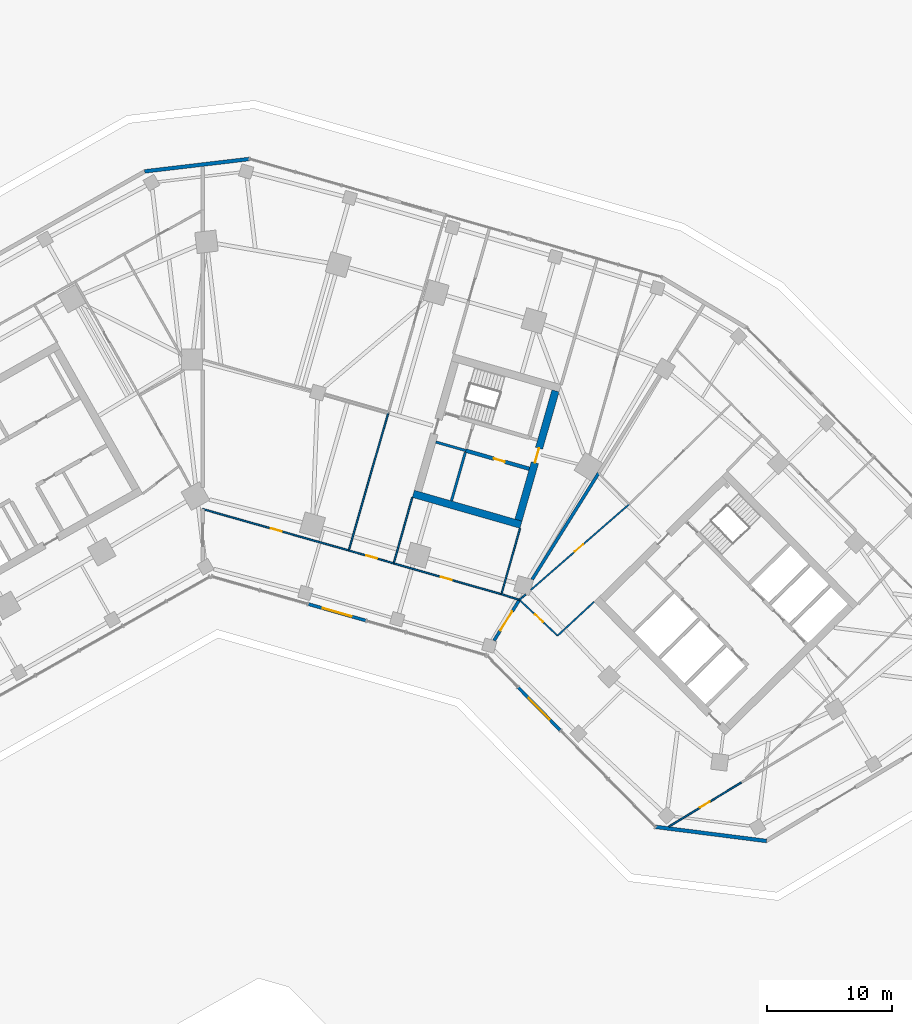
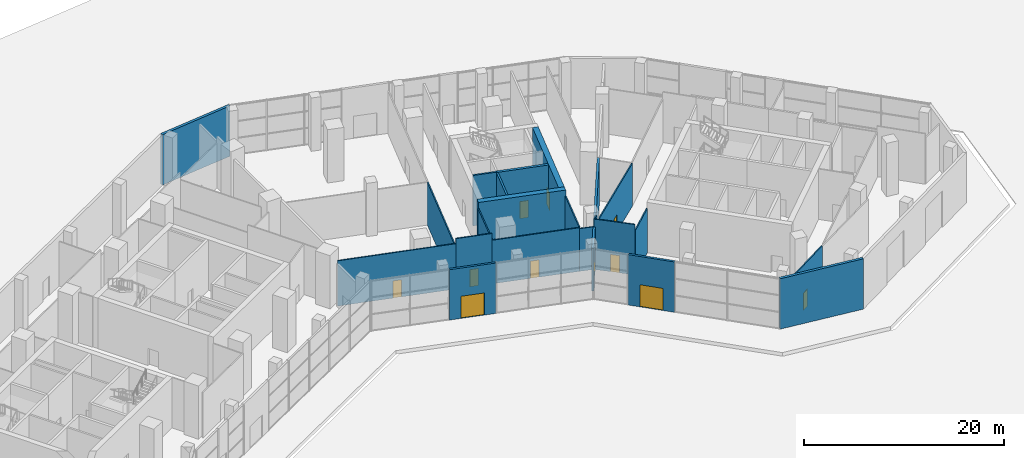
# One storey, part 15 of 22: 23 walls, 11 doors, 11 openings.
"""IFC4 building model written with IfcOpenShell, lengths in metres."""

import ifcopenshell
import ifcopenshell.guid

model = None  # the IFC model being written
_history = None  # IfcOwnerHistory: only IFC2X3 demands one
_inside = {}  # id of a spatial element -> (the spatial element, [elements in it])
_under = {}  # id of a project, library or spatial element -> (it, [spatial elements below it])
_declared = {}  # id of a project -> (the project, [libraries it declares])
_typed = {}  # id of a type object -> (the type object, [elements of that type])
_made_of = {}  # id of a material, layer set ... -> (it, [elements and type objects made of it])


def new_model(schema):
    """Start an empty IFC model of exactly this schema.

    Asked for "IFC4X3", IfcOpenShell would pick the latest addendum, in which some entities
    have other attributes; the version numbers below select the first issue.
    IFC2X3 requires an IfcOwnerHistory on every rooted entity: one is made here for all.
    """
    global model, _history
    if schema == "IFC4X3":
        model = ifcopenshell.file(schema_version=(4, 3, 0, 0))
    else:
        model = ifcopenshell.file(schema=schema)
    _inside.clear()
    _under.clear()
    _declared.clear()
    _typed.clear()
    _made_of.clear()
    _history = None
    if model.schema == "IFC2X3":
        org = make("IfcOrganization", Name="unknown")
        user = make(
            "IfcPersonAndOrganization",
            ThePerson=make("IfcPerson", FamilyName="unknown"),
            TheOrganization=org,
        )
        app = make(
            "IfcApplication",
            ApplicationDeveloper=org,
            Version="unknown",
            ApplicationFullName="unknown",
            ApplicationIdentifier="unknown",
        )
        _history = make(
            "IfcOwnerHistory",
            OwningUser=user,
            OwningApplication=app,
            ChangeAction="ADDED",
            CreationDate=0,
        )
    return model


def make(cls, **values):
    """One entity of the class cls with the attributes given. An attribute that is None is left unset."""
    return model.create_entity(
        cls, **{name: value for name, value in values.items() if value is not None}
    )


def rooted(cls, **values):
    """An entity with a GlobalId (a new one), such as an element, a storey or a relation."""
    return make(cls, GlobalId=ifcopenshell.guid.new(), OwnerHistory=_history, **values)


def si_unit(unit_type, name, prefix=None):
    """IfcSIUnit, for example si_unit("LENGTHUNIT", "METRE", prefix="MILLI")."""
    return make("IfcSIUnit", UnitType=unit_type, Prefix=prefix, Name=name)


def assignment(units):
    """IfcUnitAssignment: the units of a project."""
    return None if units is None else make("IfcUnitAssignment", Units=units)


def point(xyz):
    """IfcCartesianPoint."""
    return None if xyz is None else make("IfcCartesianPoint", Coordinates=xyz)


def direction(xyz):
    """IfcDirection."""
    return None if xyz is None else make("IfcDirection", DirectionRatios=xyz)


def frame(location, z_axis=None, x_axis=None):
    """IfcAxis2Placement3D, a coordinate frame: its origin and axes. An axis left out is left unset."""
    return make(
        "IfcAxis2Placement3D",
        Location=point(location),
        Axis=direction(z_axis),
        RefDirection=direction(x_axis),
    )


def frame_2d(location, x_axis=None):
    """IfcAxis2Placement2D, a coordinate frame in the plane: its origin and x axis."""
    return make(
        "IfcAxis2Placement2D", Location=point(location), RefDirection=direction(x_axis)
    )


def origin():
    """The frame at (0, 0, 0) with its axes left unset."""
    return frame((0.0, 0.0, 0.0))


def place(relative_to, where):
    """IfcLocalPlacement: puts the frame where relative to a parent placement (None: the world)."""
    return make(
        "IfcLocalPlacement", PlacementRelTo=relative_to, RelativePlacement=where
    )


def context(
    kind, dimensions, precision=None, world=None, true_north=None, identifier=None
):
    """IfcGeometricRepresentationContext, for example the 3D "Model" context."""
    return make(
        "IfcGeometricRepresentationContext",
        ContextIdentifier=identifier,
        ContextType=kind,
        CoordinateSpaceDimension=dimensions,
        Precision=precision,
        WorldCoordinateSystem=world,
        TrueNorth=true_north,
    )


def subcontext(parent, identifier, kind, view, scale=None):
    """IfcGeometricRepresentationSubContext, for example "Body" below "Model"."""
    return make(
        "IfcGeometricRepresentationSubContext",
        ContextIdentifier=identifier,
        ContextType=kind,
        ParentContext=parent,
        TargetScale=scale,
        TargetView=view,
    )


def project(units=None, contexts=None):
    """IfcProject with its units and contexts."""
    return rooted(
        "IfcProject",
        Name="project",
        RepresentationContexts=contexts,
        UnitsInContext=assignment(units),
    )


def spatial(cls, under=None, at=None, **own):
    """A site, building, storey or space (cls), placed at a placement, below another one or the project."""
    s = rooted(cls, ObjectPlacement=at, **own)
    if under is not None:
        _under.setdefault(under.id(), (under, []))[1].append(s)
    return s


def profile(cls, at=None, kind="AREA", **sizes):
    """A parametric profile (cls). Its sizes go by their IFC names, for example OverallWidth=200.0."""
    return make(cls, ProfileType=kind, Position=at, **sizes)


def rectangle(**sizes):
    """IfcRectangleProfileDef."""
    return profile("IfcRectangleProfileDef", **sizes)


def extrude(swept, where, along, depth):
    """IfcExtrudedAreaSolid: the profile swept, set in the frame where, extruded along a direction by depth."""
    return make(
        "IfcExtrudedAreaSolid",
        SweptArea=swept,
        Position=where,
        ExtrudedDirection=direction(along),
        Depth=depth,
    )


def shape(context_of_items, identifier, shape_type, items):
    """IfcShapeRepresentation: the items that make up one representation, for example the "Body"."""
    return make(
        "IfcShapeRepresentation",
        ContextOfItems=context_of_items,
        RepresentationIdentifier=identifier,
        RepresentationType=shape_type,
        Items=items,
    )


def material(Name=None, Category=None):
    """IfcMaterial."""
    return make("IfcMaterial", Name=Name, Category=Category)


def layer(
    of_material, thickness, ventilated=None, Name=None, Category=None, Priority=None
):
    """IfcMaterialLayer: one layer of a wall or slab, of a material (None: an air gap)."""
    return make(
        "IfcMaterialLayer",
        Material=of_material,
        LayerThickness=thickness,
        IsVentilated=ventilated,
        Name=Name,
        Category=Category,
        Priority=Priority,
    )


def layer_set(layers, Name=None):
    """IfcMaterialLayerSet."""
    return make("IfcMaterialLayerSet", MaterialLayers=layers, LayerSetName=Name)


def made_of(thing, what):
    """Note that an element or type object is made of a material, layer set ...; save() writes the relation."""
    if what is not None:
        _made_of.setdefault(what.id(), (what, []))[1].append(thing)
    return thing


def type_object(cls, material=None, **own):
    """A type object (cls), such as IfcWallType, which elements share."""
    return made_of(rooted(cls, **own), material)


def element(
    cls,
    number,
    at=None,
    inside=None,
    cuts=None,
    type_object=None,
    material=None,
    context=None,
    identifier="Body",
    shape_type=None,
    held_by="IfcProductDefinitionShape",
    body=None,
    shapes=None,
    **own,
):
    """One element of the class cls, such as IfcWall. Its Tag is "e" and its number.

    at: its placement. inside: the storey or other place that contains it. cuts: it is an
    opening in that element (IfcRelVoidsElement). A single representation is given by context,
    identifier, shape_type and body (its items); several are given by shapes. held_by: the class
    of the entity that holds the representations. save() writes the other relations.
    """
    e = rooted(cls, Tag="e%d" % number, ObjectPlacement=at, **own)
    if body is not None:
        shapes = [shape(context, identifier, shape_type, body)]
    if shapes is not None:
        e.Representation = make(held_by, Representations=shapes)
    if inside is not None:
        _inside.setdefault(inside.id(), (inside, []))[1].append(e)
    if cuts is not None:
        rooted(
            "IfcRelVoidsElement", RelatingBuildingElement=cuts, RelatedOpeningElement=e
        )
    if type_object is not None:
        _typed.setdefault(type_object.id(), (type_object, []))[1].append(e)
    return made_of(e, material)


def fill(opening, filler):
    """IfcRelFillsElement: the door or window that sits in an opening."""
    return rooted(
        "IfcRelFillsElement",
        RelatingOpeningElement=opening,
        RelatedBuildingElement=filler,
    )


def aggregate(whole, parts):
    """IfcRelAggregates: a whole, such as a stair, and the parts it consists of."""
    return rooted("IfcRelAggregates", RelatingObject=whole, RelatedObjects=parts)


def save(model, path):
    """Write the relations noted so far, then the file.

    IfcRelAggregates (storeys below a building ...), IfcRelContainedInSpatialStructure (elements
    in a storey), IfcRelDefinesByType, IfcRelAssociatesMaterial and IfcRelDeclares: one each for
    every whole, place, type object, material and project.
    """
    for whole, parts in _under.values():
        aggregate(whole, parts)
    for where, things in _inside.values():
        rooted(
            "IfcRelContainedInSpatialStructure",
            RelatedElements=things,
            RelatingStructure=where,
        )
    for kind, things in _typed.values():
        rooted("IfcRelDefinesByType", RelatedObjects=things, RelatingType=kind)
    for what, things in _made_of.values():
        rooted("IfcRelAssociatesMaterial", RelatedObjects=things, RelatingMaterial=what)
    for by, libraries in _declared.values():
        rooted("IfcRelDeclares", RelatingContext=by, RelatedDefinitions=libraries)
    model.write(path)


model = new_model("IFC4")

# Units and contexts
model_context = context("Model", 3, precision=1e-05, world=origin(), true_north=direction((0.0, 1.0)))
body_context = subcontext(model_context, "Body", "Model", "MODEL_VIEW")
ifc_project = project(units=[si_unit("LENGTHUNIT", "METRE"), si_unit("AREAUNIT", "SQUARE_METRE"), si_unit("VOLUMEUNIT", "CUBIC_METRE"), si_unit("PLANEANGLEUNIT", "RADIAN"), si_unit("MASSUNIT", "GRAM", prefix="KILO")], contexts=[model_context])

# Site, building, storey
site_placement = place(None, origin())
site = spatial("IfcSite", under=ifc_project, at=site_placement, CompositionType="ELEMENT")
building_placement = place(site_placement, origin())
building = spatial("IfcBuilding", under=site, at=building_placement, Name="Binnacle Exchange Tower", CompositionType="ELEMENT")
storey_placement = place(building_placement, origin())
storey = spatial("IfcBuildingStorey", under=building, at=storey_placement, Name="L00", CompositionType="ELEMENT", Elevation=0.0)

# Wall, opening, door
ifc_material_1 = material(Name="Concrete C70/85", Category="concrete")
ifc_layer_1 = layer(ifc_material_1, 0.300048828125)
ifc_layer_set_1 = layer_set([ifc_layer_1], Name="Core wall - front 300")
wall_type_1 = type_object("IfcWallType", Name="Core wall - front 300", PredefinedType="SOLIDWALL", material=ifc_layer_set_1)
wall_1_placement = place(storey_placement, frame((21.130859375, 52.6923828125, 0.0), z_axis=(0.0, 0.0, 1.0), x_axis=(0.961271492568, -0.275603188616, 0.0)))
wall_1 = element("IfcWall", 1, at=wall_1_placement, inside=storey, type_object=wall_type_1, Name="Core wall CRWD3", PredefinedType="SOLIDWALL", context=body_context, shape_type="SweptSolid", body=[
    extrude(rectangle(XDim=5.300048828125, YDim=0.300048828125, at=frame_2d((2.64990234375, 0.0))), origin(), (0.0, 0.0, 1.0), 6.14990234375),
])
opening_1_placement = place(wall_1_placement, frame((2.35009765625, 0.0, 0.0)))
opening_1 = element("IfcOpeningElement", 2, at=opening_1_placement, cuts=wall_1, Name="Opening DD10", PredefinedType="OPENING", context=body_context, shape_type="SweptSolid", body=[
    extrude(rectangle(XDim=0.89990234375, YDim=2.10009765625, at=frame_2d((0.449951171875, 1.050048828125))), frame((0.0, 0.159912109375, 0.0), z_axis=(0.0, -1.0, 0.0), x_axis=(1.0, 0.0, 0.0)), (0.0, 0.0, 1.0), 0.320068359375),
])
ifc_material_2 = material(Name="Steel door leaf", Category="steel")
door_type_1 = type_object("IfcDoorType", Name="Fire door 900", OperationType="NOTDEFINED", PredefinedType="DOOR", material=ifc_material_2)
door_1_placement = place(opening_1_placement, frame((0.89990234375, 0.0, 0.0), z_axis=(0.0, 0.0, 1.0), x_axis=(-1.0, 0.0, 0.0)))
door_1 = element("IfcDoor", 3, at=door_1_placement, inside=storey, type_object=door_type_1, Name="Core room door PANTRY", OperationType="SINGLE_SWING_LEFT", OverallHeight=2.10009765625, OverallWidth=0.89990234375, PredefinedType="DOOR", context=body_context, shape_type="SweptSolid", body=[
    extrude(rectangle(XDim=0.89990234375, YDim=2.10009765625, at=frame_2d((0.449951171875, 1.050048828125))), frame((0.0, 0.02490234375, 0.0), z_axis=(0.0, -1.0, 0.0), x_axis=(1.0, 0.0, 0.0)), (0.0, 0.0, 1.0), 0.050048828125),
])
fill(opening_1, door_1)

# Wall
ifc_layer_2 = layer(ifc_material_1, 0.60009765625)
ifc_layer_set_2 = layer_set([ifc_layer_2], Name="Core wall - outer 600")
wall_type_2 = type_object("IfcWallType", Name="Core wall - outer 600", PredefinedType="SOLIDWALL", material=ifc_layer_set_2)
wall_2_placement = place(storey_placement, frame((16.91064453125, 49.22119140625, 0.0), z_axis=(0.0, 0.0, 1.0), x_axis=(0.96126248289, -0.275634611374, 0.0)))
element("IfcWall", 4, at=wall_2_placement, inside=storey, type_object=wall_type_2, Name="Core wall CRWD1", PredefinedType="SOLIDWALL", context=body_context, shape_type="SweptSolid", body=[
    extrude(rectangle(XDim=9.0, YDim=0.60009765625, at=frame_2d((4.5, 0.0))), origin(), (0.0, 0.0, 1.0), 6.14990234375),
])

# Wall, opening, door
wall_3_placement = place(storey_placement, frame((25.356201171875, 47.111572265625, 0.0), z_axis=(0.0, 0.0, 1.0), x_axis=(0.275631631629, 0.961263337304, 0.0)))
wall_3 = element("IfcWall", 5, at=wall_3_placement, inside=storey, type_object=wall_type_2, Name="Core wall CRWD12", PredefinedType="SOLIDWALL", context=body_context, shape_type="SweptSolid", body=[
    extrude(rectangle(XDim=10.800048828125, YDim=0.60009765625, at=frame_2d((5.39990234375, 0.0))), origin(), (0.0, 0.0, 1.0), 6.14990234375),
])
opening_2_placement = place(wall_3_placement, frame((4.800048828125, 0.0, 0.0)))
opening_2 = element("IfcOpeningElement", 6, at=opening_2_placement, cuts=wall_3, Name="Opening DD6", PredefinedType="OPENING", context=body_context, shape_type="SweptSolid", body=[
    extrude(rectangle(XDim=1.199951171875, YDim=2.10009765625, at=frame_2d((0.60009765625, 1.050048828125))), frame((0.0, 0.31005859375, 0.0), z_axis=(0.0, -1.0, 0.0), x_axis=(1.0, 0.0, 0.0)), (0.0, 0.0, 1.0), 0.6201171875),
])
door_type_2 = type_object("IfcDoorType", Name="Fire door 1200", OperationType="NOTDEFINED", PredefinedType="DOOR", material=ifc_material_2)
door_2_placement = place(opening_2_placement, frame((1.199951171875, 0.0, 0.0), z_axis=(0.0, 0.0, 1.0), x_axis=(-1.0, 0.0, 0.0)))
door_2 = element("IfcDoor", 7, at=door_2_placement, inside=storey, type_object=door_type_2, Name="Core passage exit door", OperationType="SINGLE_SWING_LEFT", OverallHeight=2.10009765625, OverallWidth=1.199951171875, PredefinedType="DOOR", context=body_context, shape_type="SweptSolid", body=[
    extrude(rectangle(XDim=1.199951171875, YDim=2.10009765625, at=frame_2d((0.60009765625, 1.050048828125))), frame((0.0, 0.02490234375, 0.0), z_axis=(0.0, -1.0, 0.0), x_axis=(1.0, 0.0, 0.0)), (0.0, 0.0, 1.0), 0.050048828125),
])
fill(opening_2, door_2)

ifc_material_3 = material(Name="Bronze aluminium cladding", Category="aluminium")
ifc_layer_3 = layer(ifc_material_3, 0.25)
ifc_layer_set_3 = layer_set([ifc_layer_3], Name="External wall - entrance portal 250")
wall_type_3 = type_object("IfcWallType", Name="External wall - entrance portal 250", PredefinedType="STANDARD", material=ifc_layer_set_3)
wall_4_placement = place(storey_placement, frame((13.098876953125, 39.04248046875, 0.0), z_axis=(0.0, 0.0, 1.0), x_axis=(-0.961264405322, 0.275627906897, 0.0)))
wall_4 = element("IfcWall", 8, at=wall_4_placement, inside=storey, type_object=wall_type_3, Name="External wall EW-P07P1 portal", PredefinedType="STANDARD", context=body_context, shape_type="SweptSolid", body=[
    extrude(rectangle(XDim=4.800048828125, YDim=0.25, at=frame_2d((2.39990234375, 0.0))), origin(), (0.0, 0.0, 1.0), 6.14990234375),
])
opening_3_placement = place(wall_4_placement, frame((1.199951171875, 0.0, 0.0)))
opening_3 = element("IfcOpeningElement", 9, at=opening_3_placement, cuts=wall_4, Name="Opening D-FS01-07", PredefinedType="OPENING", context=body_context, shape_type="SweptSolid", body=[
    extrude(rectangle(XDim=2.39990234375, YDim=2.699951171875, at=frame_2d((1.199951171875, 1.35009765625))), frame((0.0, 0.135009765625, 0.0), z_axis=(0.0, -1.0, 0.0), x_axis=(1.0, 0.0, 0.0)), (0.0, 0.0, 1.0), 0.27001953125),
])
ifc_material_4 = material(Name="Bronze anodised aluminium frame", Category="aluminium")
door_type_3 = type_object("IfcDoorType", Name="DE DOOR 2400x2700", OperationType="DOUBLE_DOOR_SINGLE_SWING", PredefinedType="DOOR", material=ifc_material_4)
door_3_placement = place(opening_3_placement, origin())
door_3 = element("IfcDoor", 10, at=door_3_placement, inside=storey, type_object=door_type_3, Name="Door D-FS01-07 L00", OperationType="DOUBLE_DOOR_SINGLE_SWING", OverallHeight=2.699951171875, OverallWidth=2.39990234375, PredefinedType="DOOR", context=body_context, shape_type="SweptSolid", body=[
    extrude(rectangle(XDim=2.39990234375, YDim=2.699951171875, at=frame_2d((1.199951171875, 1.35009765625))), frame((0.0, 0.02490234375, 0.0), z_axis=(0.0, -1.0, 0.0), x_axis=(1.0, 0.0, 0.0)), (0.0, 0.0, 1.0), 0.050048828125),
])
fill(opening_3, door_3)

wall_5_placement = place(storey_placement, frame((28.708251953125, 30.242919921875, 0.0), z_axis=(0.0, 0.0, 1.0), x_axis=(-0.700899852739, 0.713259697747, 0.0)))
wall_5 = element("IfcWall", 11, at=wall_5_placement, inside=storey, type_object=wall_type_3, Name="External wall EW-P08P1 portal", PredefinedType="STANDARD", context=body_context, shape_type="SweptSolid", body=[
    extrude(rectangle(XDim=4.7998046875, YDim=0.25, at=frame_2d((2.39990234375, 0.0))), origin(), (0.0, 0.0, 1.0), 6.14990234375),
])
opening_4_placement = place(wall_5_placement, frame((1.199951171875, 0.0, 0.0)))
opening_4 = element("IfcOpeningElement", 12, at=opening_4_placement, cuts=wall_5, Name="Opening D-FS01-08", PredefinedType="OPENING", context=body_context, shape_type="SweptSolid", body=[
    extrude(rectangle(XDim=2.39990234375, YDim=2.699951171875, at=frame_2d((1.199951171875, 1.35009765625))), frame((0.0, 0.135009765625, 0.0), z_axis=(0.0, -1.0, 0.0), x_axis=(1.0, 0.0, 0.0)), (0.0, 0.0, 1.0), 0.27001953125),
])
door_4_placement = place(opening_4_placement, origin())
door_4 = element("IfcDoor", 13, at=door_4_placement, inside=storey, type_object=door_type_3, Name="Door D-FS01-08 L00", OperationType="DOUBLE_DOOR_SINGLE_SWING", OverallHeight=2.699951171875, OverallWidth=2.39990234375, PredefinedType="DOOR", context=body_context, shape_type="SweptSolid", body=[
    extrude(rectangle(XDim=2.39990234375, YDim=2.699951171875, at=frame_2d((1.199951171875, 1.35009765625))), frame((0.0, 0.02490234375, 0.0), z_axis=(0.0, -1.0, 0.0), x_axis=(1.0, 0.0, 0.0)), (0.0, 0.0, 1.0), 0.050048828125),
])
fill(opening_4, door_4)

# Walls
ifc_material_5 = material(Name="Bronze aluminium louvre", Category="aluminium")
ifc_layer_4 = layer(ifc_material_5, 0.300048828125)
ifc_layer_set_4 = layer_set([ifc_layer_4], Name="External wall - podium louvre 300")
wall_type_4 = type_object("IfcWallType", Name="External wall - podium louvre 300", PredefinedType="STANDARD", material=ifc_layer_set_4)
wall_6_placement = place(storey_placement, frame((-4.662841796875, 75.1201171875, 0.0), z_axis=(0.0, 0.0, 1.0), x_axis=(0.993069631717, 0.11752747152, 0.0)))
element("IfcWall", 14, at=wall_6_placement, inside=storey, type_object=wall_type_4, Name="External wall EW-P01 L00", PredefinedType="STANDARD", context=body_context, shape_type="SweptSolid", body=[
    extrude(rectangle(XDim=8.462890625, YDim=0.300048828125, at=frame_2d((4.2314453125, 0.0))), origin(), (0.0, 0.0, 1.0), 6.14990234375),
])
wall_7_placement = place(storey_placement, frame((45.28466796875, 21.339111328125, 0.0), z_axis=(0.0, 0.0, 1.0), x_axis=(-0.992004683779, 0.126201059267, 0.0)))
element("IfcWall", 15, at=wall_7_placement, inside=storey, type_object=wall_type_4, Name="External wall EW-P09 L00", PredefinedType="STANDARD", context=body_context, shape_type="SweptSolid", body=[
    extrude(rectangle(XDim=9.028564453125, YDim=0.300048828125, at=frame_2d((4.51416015625, 0.0))), origin(), (0.0, 0.0, 1.0), 6.14990234375),
])

# Wall, opening, door
ifc_material_6 = material(Name="Concrete fire wall C30/37", Category="concrete")
ifc_layer_5 = layer(ifc_material_6, 0.25)
ifc_layer_set_5 = layer_set([ifc_layer_5], Name="Fire wall - compartment 250")
wall_type_5 = type_object("IfcWallType", Name="Fire wall - compartment 250", PredefinedType="PARTITIONING", material=ifc_layer_set_5)
wall_8_placement = place(storey_placement, frame((23.39697265625, 37.44189453125, 0.0), z_axis=(0.0, 0.0, 1.0), x_axis=(0.529805058875, 0.848119448893, 0.0)))
wall_8 = element("IfcWall", 16, at=wall_8_placement, inside=storey, type_object=wall_type_5, Name="Fire Wall W53", PredefinedType="PARTITIONING", context=body_context, shape_type="SweptSolid", body=[
    extrude(rectangle(XDim=3.8486328125, YDim=0.25, at=frame_2d((1.92431640625, 0.0))), origin(), (0.0, 0.0, 1.0), 5.2119140625),
])
opening_5_placement = place(wall_8_placement, frame((0.949951171875, 0.0, 0.0)))
opening_5 = element("IfcOpeningElement", 17, at=opening_5_placement, cuts=wall_8, Name="Opening DL00-33", PredefinedType="OPENING", context=body_context, shape_type="SweptSolid", body=[
    extrude(rectangle(XDim=1.800048828125, YDim=2.10009765625, at=frame_2d((0.89990234375, 1.050048828125))), frame((0.0, 0.135009765625, 0.0), z_axis=(0.0, -1.0, 0.0), x_axis=(1.0, 0.0, 0.0)), (0.0, 0.0, 1.0), 0.27001953125),
])
door_type_4 = type_object("IfcDoorType", Name="Fire door 1800", OperationType="NOTDEFINED", PredefinedType="DOOR", material=ifc_material_2)
door_5_placement = place(opening_5_placement, origin())
door_5 = element("IfcDoor", 18, at=door_5_placement, inside=storey, type_object=door_type_4, Name="Door DL00-33", OperationType="DOUBLE_DOOR_SINGLE_SWING", OverallHeight=2.10009765625, OverallWidth=1.800048828125, PredefinedType="DOOR", context=body_context, shape_type="SweptSolid", body=[
    extrude(rectangle(XDim=1.800048828125, YDim=2.10009765625, at=frame_2d((0.89990234375, 1.050048828125))), frame((0.0, 0.02490234375, 0.0), z_axis=(0.0, -1.0, 0.0), x_axis=(1.0, 0.0, 0.0)), (0.0, 0.0, 1.0), 0.050048828125),
])
fill(opening_5, door_5)

# Wall
wall_9_placement = place(storey_placement, frame((26.4560546875, 42.337890625, 0.0), z_axis=(0.0, 0.0, 1.0), x_axis=(0.529866075757, 0.848081329686, 0.0)))
element("IfcWall", 19, at=wall_9_placement, inside=storey, type_object=wall_type_5, Name="Fire Wall W59", PredefinedType="PARTITIONING", context=body_context, shape_type="SweptSolid", body=[
    extrude(rectangle(XDim=10.075927734375, YDim=0.25, at=frame_2d((5.0380859375, 0.0))), origin(), (0.0, 0.0, 1.0), 5.2119140625),
])

# Wall, opening, door
ifc_material_7 = material(Name="Gypsum partition")
ifc_layer_6 = layer(ifc_material_7, 0.125)
ifc_layer_set_6 = layer_set([ifc_layer_6], Name="Partition 125")
wall_type_6 = type_object("IfcWallType", Name="Partition 125", PredefinedType="PARTITIONING", material=ifc_layer_set_6)
wall_10_placement = place(storey_placement, frame((0.0, 48.0, 0.0), z_axis=(0.0, 0.0, 1.0), x_axis=(0.962053342028, -0.27286144303, 0.0)))
wall_10 = element("IfcWall", 20, at=wall_10_placement, inside=storey, type_object=wall_type_6, Name="Partition W40", PredefinedType="PARTITIONING", context=body_context, shape_type="SweptSolid", body=[
    extrude(rectangle(XDim=12.192626953125, YDim=0.125, at=frame_2d((6.09619140625, 0.0))), origin(), (0.0, 0.0, 1.0), 5.530029296875),
])
opening_6_placement = place(wall_10_placement, frame((5.699951171875, 0.0, 0.0)))
opening_6 = element("IfcOpeningElement", 21, at=opening_6_placement, cuts=wall_10, Name="Opening DL00-19", PredefinedType="OPENING", context=body_context, shape_type="SweptSolid", body=[
    extrude(rectangle(XDim=0.89990234375, YDim=2.10009765625, at=frame_2d((0.449951171875, 1.050048828125))), frame((0.0, 0.072509765625, 0.0), z_axis=(0.0, -1.0, 0.0), x_axis=(1.0, 0.0, 0.0)), (0.0, 0.0, 1.0), 0.14501953125),
])
ifc_material_8 = material(Name="Timber door leaf", Category="wood")
door_type_5 = type_object("IfcDoorType", Name="Door 900", OperationType="NOTDEFINED", PredefinedType="DOOR", material=ifc_material_8)
door_6_placement = place(opening_6_placement, origin())
door_6 = element("IfcDoor", 22, at=door_6_placement, inside=storey, type_object=door_type_5, Name="Door DL00-19", OperationType="SINGLE_SWING_RIGHT", OverallHeight=2.10009765625, OverallWidth=0.89990234375, PredefinedType="DOOR", context=body_context, shape_type="SweptSolid", body=[
    extrude(rectangle(XDim=0.89990234375, YDim=2.10009765625, at=frame_2d((0.449951171875, 1.050048828125))), frame((0.0, 0.02490234375, 0.0), z_axis=(0.0, -1.0, 0.0), x_axis=(1.0, 0.0, 0.0)), (0.0, 0.0, 1.0), 0.050048828125),
])
fill(opening_6, door_6)

# Wall
wall_11_placement = place(storey_placement, frame((11.72998046875, 44.673095703125, 0.0), z_axis=(0.0, 0.0, 1.0), x_axis=(0.275635044812, 0.961262358605, 0.0)))
element("IfcWall", 23, at=wall_11_placement, inside=storey, type_object=wall_type_6, Name="Partition W47", PredefinedType="PARTITIONING", context=body_context, shape_type="SweptSolid", body=[
    extrude(rectangle(XDim=11.50048828125, YDim=0.125, at=frame_2d((5.750244140625, 0.0))), origin(), (0.0, 0.0, 1.0), 5.2119140625),
])

# Wall, opening, door
wall_12_placement = place(storey_placement, frame((11.72998046875, 44.673095703125, 0.0), z_axis=(0.0, 0.0, 1.0), x_axis=(0.961228613303, -0.275752702557, 0.0)))
wall_12 = element("IfcWall", 24, at=wall_12_placement, inside=storey, type_object=wall_type_6, Name="Partition W48", PredefinedType="PARTITIONING", context=body_context, shape_type="SweptSolid", body=[
    extrude(rectangle(XDim=3.75048828125, YDim=0.125, at=frame_2d((1.875244140625, 0.0))), origin(), (0.0, 0.0, 1.0), 6.14990234375),
])
opening_7_placement = place(wall_12_placement, frame((1.449951171875, 0.0, 0.0)))
opening_7 = element("IfcOpeningElement", 25, at=opening_7_placement, cuts=wall_12, Name="Opening DL00-17", PredefinedType="OPENING", context=body_context, shape_type="SweptSolid", body=[
    extrude(rectangle(XDim=0.89990234375, YDim=2.10009765625, at=frame_2d((0.449951171875, 1.050048828125))), frame((0.0, 0.072509765625, 0.0), z_axis=(0.0, -1.0, 0.0), x_axis=(1.0, 0.0, 0.0)), (0.0, 0.0, 1.0), 0.14501953125),
])
door_7_placement = place(opening_7_placement, frame((0.89990234375, 0.0, 0.0), z_axis=(0.0, 0.0, 1.0), x_axis=(-1.0, 0.0, 0.0)))
door_7 = element("IfcDoor", 26, at=door_7_placement, inside=storey, type_object=door_type_5, Name="Door DL00-17", OperationType="SINGLE_SWING_LEFT", OverallHeight=2.10009765625, OverallWidth=0.89990234375, PredefinedType="DOOR", context=body_context, shape_type="SweptSolid", body=[
    extrude(rectangle(XDim=0.89990234375, YDim=2.10009765625, at=frame_2d((0.449951171875, 1.050048828125))), frame((0.0, 0.02490234375, 0.0), z_axis=(0.0, -1.0, 0.0), x_axis=(1.0, 0.0, 0.0)), (0.0, 0.0, 1.0), 0.050048828125),
])
fill(opening_7, door_7)

# Wall
wall_13_placement = place(storey_placement, frame((15.3349609375, 43.638916015625, 0.0), z_axis=(0.0, 0.0, 1.0), x_axis=(0.271407455373, 0.962464541252, 0.0)))
element("IfcWall", 27, at=wall_13_placement, inside=storey, type_object=wall_type_6, Name="Partition W50", PredefinedType="PARTITIONING", context=body_context, shape_type="SweptSolid", body=[
    extrude(rectangle(XDim=5.500732421875, YDim=0.125, at=frame_2d((2.75048828125, 0.0))), origin(), (0.0, 0.0, 1.0), 5.429931640625),
])

# Wall, opening, door
wall_14_placement = place(storey_placement, frame((15.3349609375, 43.638916015625, 0.0), z_axis=(0.0, 0.0, 1.0), x_axis=(0.961281982754, -0.275566597455, 0.0)))
wall_14 = element("IfcWall", 28, at=wall_14_placement, inside=storey, type_object=wall_type_6, Name="Partition W51", PredefinedType="PARTITIONING", context=body_context, shape_type="SweptSolid", body=[
    extrude(rectangle(XDim=8.99951171875, YDim=0.125, at=frame_2d((4.499755859375, 0.0))), origin(), (0.0, 0.0, 1.0), 5.322021484375),
])
opening_8_placement = place(wall_14_placement, frame((3.949951171875, 0.0, 0.0)))
opening_8 = element("IfcOpeningElement", 29, at=opening_8_placement, cuts=wall_14, Name="Opening DL00-22", PredefinedType="OPENING", context=body_context, shape_type="SweptSolid", body=[
    extrude(rectangle(XDim=0.89990234375, YDim=2.10009765625, at=frame_2d((0.449951171875, 1.050048828125))), frame((0.0, 0.072509765625, 0.0), z_axis=(0.0, -1.0, 0.0), x_axis=(1.0, 0.0, 0.0)), (0.0, 0.0, 1.0), 0.14501953125),
])
door_8_placement = place(opening_8_placement, origin())
door_8 = element("IfcDoor", 30, at=door_8_placement, inside=storey, type_object=door_type_5, Name="Door DL00-22", OperationType="SINGLE_SWING_LEFT", OverallHeight=2.10009765625, OverallWidth=0.89990234375, PredefinedType="DOOR", context=body_context, shape_type="SweptSolid", body=[
    extrude(rectangle(XDim=0.89990234375, YDim=2.10009765625, at=frame_2d((0.449951171875, 1.050048828125))), frame((0.0, 0.02490234375, 0.0), z_axis=(0.0, -1.0, 0.0), x_axis=(1.0, 0.0, 0.0)), (0.0, 0.0, 1.0), 0.050048828125),
])
fill(opening_8, door_8)

# Walls
wall_15_placement = place(storey_placement, frame((23.986083984375, 41.158935546875, 0.0), z_axis=(0.0, 0.0, 1.0), x_axis=(0.954522865266, -0.298137719325, 0.0)))
element("IfcWall", 31, at=wall_15_placement, inside=storey, type_object=wall_type_6, Name="Partition W54", PredefinedType="PARTITIONING", context=body_context, shape_type="SweptSolid", body=[
    extrude(rectangle(XDim=1.51904296875, YDim=0.125, at=frame_2d((0.759521484375, 0.0))), origin(), (0.0, 0.0, 1.0), 5.2119140625),
])
wall_16_placement = place(storey_placement, frame((23.986083984375, 41.158935546875, 0.0), z_axis=(0.0, 0.0, 1.0), x_axis=(0.271465437068, 0.962448188983, 0.0)))
element("IfcWall", 32, at=wall_16_placement, inside=storey, type_object=wall_type_6, Name="Partition W55", PredefinedType="PARTITIONING", context=body_context, shape_type="SweptSolid", body=[
    extrude(rectangle(XDim=5.49951171875, YDim=0.125, at=frame_2d((2.749755859375, 0.0))), origin(), (0.0, 0.0, 1.0), 5.429931640625),
])
wall_17_placement = place(storey_placement, frame((25.43603515625, 40.7060546875, 0.0), z_axis=(0.0, 0.0, 1.0), x_axis=(0.753521944961, 0.657422754749, 0.0)))
element("IfcWall", 33, at=wall_17_placement, inside=storey, type_object=wall_type_6, Name="Partition W56", PredefinedType="PARTITIONING", context=body_context, shape_type="SweptSolid", body=[
    extrude(rectangle(XDim=0.655517578125, YDim=0.125, at=frame_2d((0.32763671875, 0.0))), origin(), (0.0, 0.0, 1.0), 6.14990234375),
])

# Wall, opening, door
wall_18_placement = place(storey_placement, frame((25.43603515625, 40.7060546875, 0.0), z_axis=(0.0, 0.0, 1.0), x_axis=(0.729011488135, -0.684501461041, 0.0)))
wall_18 = element("IfcWall", 34, at=wall_18_placement, inside=storey, type_object=wall_type_6, Name="Partition W57", PredefinedType="PARTITIONING", context=body_context, shape_type="SweptSolid", body=[
    extrude(rectangle(XDim=4.20166015625, YDim=0.125, at=frame_2d((2.100830078125, 0.0))), origin(), (0.0, 0.0, 1.0), 6.14990234375),
])
opening_9_placement = place(wall_18_placement, frame((1.699951171875, 0.0, 0.0)))
opening_9 = element("IfcOpeningElement", 35, at=opening_9_placement, cuts=wall_18, Name="Opening DL00-23", PredefinedType="OPENING", context=body_context, shape_type="SweptSolid", body=[
    extrude(rectangle(XDim=0.89990234375, YDim=2.10009765625, at=frame_2d((0.449951171875, 1.050048828125))), frame((0.0, 0.072509765625, 0.0), z_axis=(0.0, -1.0, 0.0), x_axis=(1.0, 0.0, 0.0)), (0.0, 0.0, 1.0), 0.14501953125),
])
door_9_placement = place(opening_9_placement, origin())
door_9 = element("IfcDoor", 36, at=door_9_placement, inside=storey, type_object=door_type_5, Name="Door DL00-23", OperationType="SINGLE_SWING_RIGHT", OverallHeight=2.10009765625, OverallWidth=0.89990234375, PredefinedType="DOOR", context=body_context, shape_type="SweptSolid", body=[
    extrude(rectangle(XDim=0.89990234375, YDim=2.10009765625, at=frame_2d((0.449951171875, 1.050048828125))), frame((0.0, 0.02490234375, 0.0), z_axis=(0.0, -1.0, 0.0), x_axis=(1.0, 0.0, 0.0)), (0.0, 0.0, 1.0), 0.050048828125),
])
fill(opening_9, door_9)

wall_19_placement = place(storey_placement, frame((26.337890625, 41.491943359375, 0.0), z_axis=(0.0, 0.0, 1.0), x_axis=(0.753866696092, 0.657027400131, 0.0)))
wall_19 = element("IfcWall", 37, at=wall_19_placement, inside=storey, type_object=wall_type_6, Name="Partition W58", PredefinedType="PARTITIONING", context=body_context, shape_type="SweptSolid", body=[
    extrude(rectangle(XDim=10.49267578125, YDim=0.125, at=frame_2d((5.246337890625, 0.0))), origin(), (0.0, 0.0, 1.0), 5.22998046875),
])
opening_10_placement = place(wall_19_placement, frame((4.699951171875, 0.0, 0.0)))
opening_10 = element("IfcOpeningElement", 38, at=opening_10_placement, cuts=wall_19, Name="Opening DL00-28", PredefinedType="OPENING", context=body_context, shape_type="SweptSolid", body=[
    extrude(rectangle(XDim=0.89990234375, YDim=2.10009765625, at=frame_2d((0.449951171875, 1.050048828125))), frame((0.0, 0.072509765625, 0.0), z_axis=(0.0, -1.0, 0.0), x_axis=(1.0, 0.0, 0.0)), (0.0, 0.0, 1.0), 0.14501953125),
])
door_10_placement = place(opening_10_placement, origin())
door_10 = element("IfcDoor", 39, at=door_10_placement, inside=storey, type_object=door_type_5, Name="Door DL00-28", OperationType="SINGLE_SWING_LEFT", OverallHeight=2.10009765625, OverallWidth=0.89990234375, PredefinedType="DOOR", context=body_context, shape_type="SweptSolid", body=[
    extrude(rectangle(XDim=0.89990234375, YDim=2.10009765625, at=frame_2d((0.449951171875, 1.050048828125))), frame((0.0, 0.02490234375, 0.0), z_axis=(0.0, -1.0, 0.0), x_axis=(1.0, 0.0, 0.0)), (0.0, 0.0, 1.0), 0.050048828125),
])
fill(opening_10, door_10)

# Wall
wall_20_placement = place(storey_placement, frame((28.4990234375, 37.830078125, 0.0), z_axis=(0.0, 0.0, 1.0), x_axis=(0.732973836409, 0.680256830278, 0.0)))
element("IfcWall", 40, at=wall_20_placement, inside=storey, type_object=wall_type_6, Name="Partition W60", PredefinedType="PARTITIONING", context=body_context, shape_type="SweptSolid", body=[
    extrude(rectangle(XDim=4.001220703125, YDim=0.125, at=frame_2d((2.00048828125, 0.0))), origin(), (0.0, 0.0, 1.0), 5.429931640625),
])

# Wall, opening, door
wall_21_placement = place(storey_placement, frame((37.426025390625, 22.489990234375, 0.0), z_axis=(0.0, 0.0, 1.0), x_axis=(0.854177797602, 0.519981047812, 0.0)))
wall_21 = element("IfcWall", 41, at=wall_21_placement, inside=storey, type_object=wall_type_6, Name="Partition W67", PredefinedType="PARTITIONING", context=body_context, shape_type="SweptSolid", body=[
    extrude(rectangle(XDim=6.813720703125, YDim=0.125, at=frame_2d((3.40673828125, 0.0))), origin(), (0.0, 0.0, 1.0), 5.52392578125),
])
opening_11_placement = place(wall_21_placement, frame((2.949951171875, 0.0, 0.0)))
opening_11 = element("IfcOpeningElement", 42, at=opening_11_placement, cuts=wall_21, Name="Opening DL00-29", PredefinedType="OPENING", context=body_context, shape_type="SweptSolid", body=[
    extrude(rectangle(XDim=0.89990234375, YDim=2.10009765625, at=frame_2d((0.449951171875, 1.050048828125))), frame((0.0, 0.072509765625, 0.0), z_axis=(0.0, -1.0, 0.0), x_axis=(1.0, 0.0, 0.0)), (0.0, 0.0, 1.0), 0.14501953125),
])
door_11_placement = place(opening_11_placement, frame((0.89990234375, 0.0, 0.0), z_axis=(0.0, 0.0, 1.0), x_axis=(-1.0, 0.0, 0.0)))
door_11 = element("IfcDoor", 43, at=door_11_placement, inside=storey, type_object=door_type_5, Name="Door DL00-29", OperationType="SINGLE_SWING_RIGHT", OverallHeight=2.10009765625, OverallWidth=0.89990234375, PredefinedType="DOOR", context=body_context, shape_type="SweptSolid", body=[
    extrude(rectangle(XDim=0.89990234375, YDim=2.10009765625, at=frame_2d((0.449951171875, 1.050048828125))), frame((0.0, 0.02490234375, 0.0), z_axis=(0.0, -1.0, 0.0), x_axis=(1.0, 0.0, 0.0)), (0.0, 0.0, 1.0), 0.050048828125),
])
fill(opening_11, door_11)

# Walls
ifc_material_9 = material(Name="Masonry block wall", Category="masonry")
ifc_layer_7 = layer(ifc_material_9, 0.199951171875)
ifc_layer_set_7 = layer_set([ifc_layer_7], Name="Riser wall 200")
wall_type_7 = type_object("IfcWallType", Name="Riser wall 200", PredefinedType="SOLIDWALL", material=ifc_layer_set_7)
wall_22_placement = place(storey_placement, frame((18.727783203125, 53.381591796875, 0.0), z_axis=(0.0, 0.0, 1.0), x_axis=(0.961247070632, -0.275688355216, 0.0)))
element("IfcWall", 44, at=wall_22_placement, inside=storey, type_object=wall_type_7, Name="Core wall CRWD2", PredefinedType="SOLIDWALL", context=body_context, shape_type="SweptSolid", body=[
    extrude(rectangle(XDim=2.5, YDim=0.199951171875, at=frame_2d((1.25, 0.0))), origin(), (0.0, 0.0, 1.0), 6.14990234375),
])
wall_23_placement = place(storey_placement, frame((19.97314453125, 48.6552734375, 0.0), z_axis=(0.0, 0.0, 1.0), x_axis=(0.275668441653, 0.961252781674, 0.0)))
element("IfcWall", 45, at=wall_23_placement, inside=storey, type_object=wall_type_7, Name="Core wall CRWD8", PredefinedType="SOLIDWALL", context=body_context, shape_type="SweptSolid", body=[
    extrude(rectangle(XDim=4.050048828125, YDim=0.199951171875, at=frame_2d((2.02490234375, 0.0))), origin(), (0.0, 0.0, 1.0), 6.14990234375),
])

save(model, "model.ifc")
